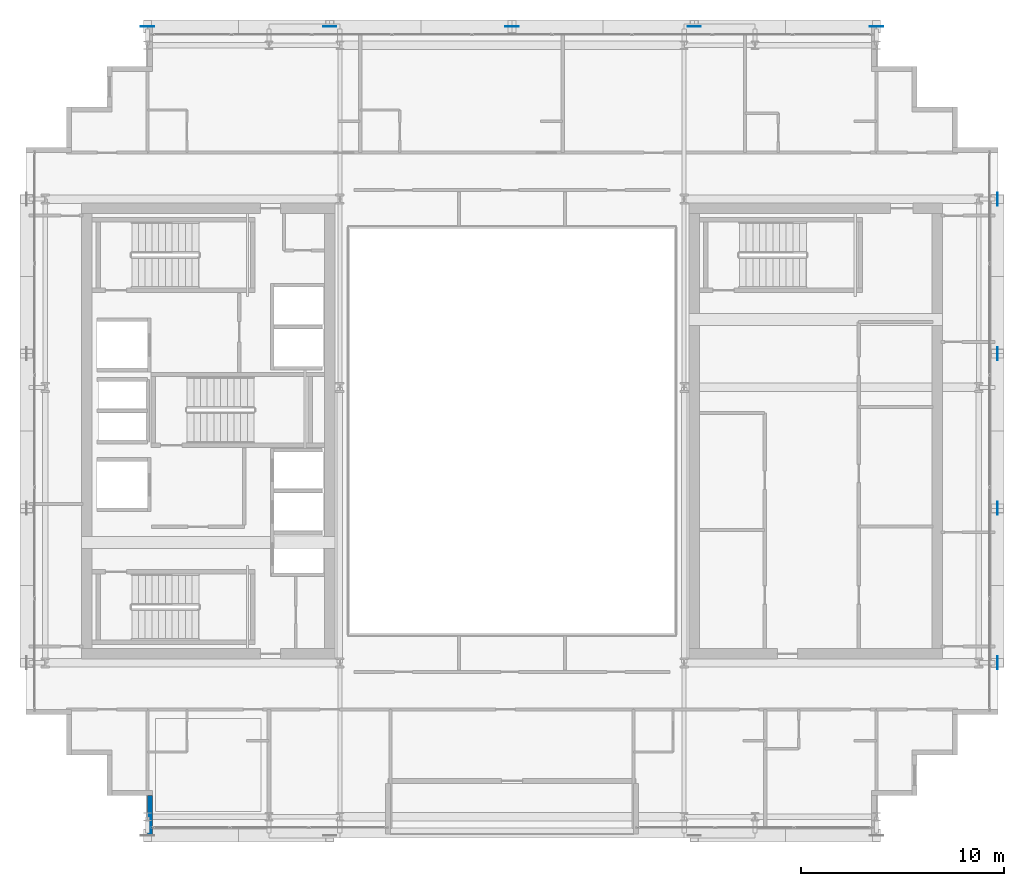
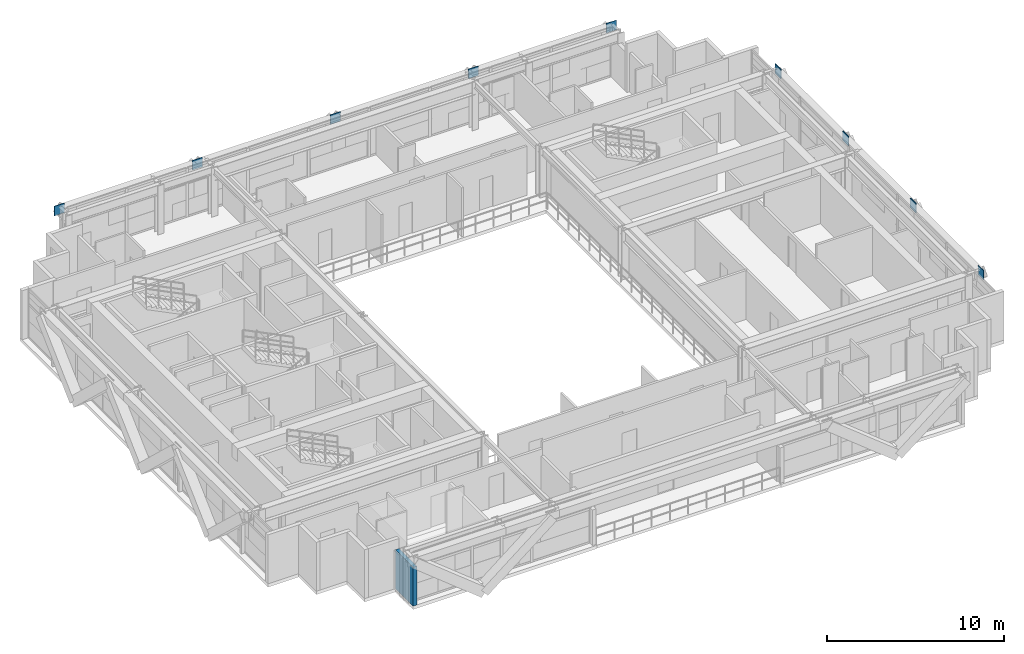
# One storey, part 23 of 32: 9 plates, 1 wall.
"""IFC4 building model written with IfcOpenShell, lengths in metres."""

from ifc_helpers import new_model, si_unit, direction, frame, frame_2d, origin, origin_2d, place, context, subcontext, project, spatial, rectangle, extrude, source, transform, mapped, material, layer, layer_set, type_object, element, save


model = new_model("IFC4")

# Units and contexts
model_context = context("Model", 3, precision=1e-05, world=origin(), true_north=direction((0.0, 1.0)))
body_context = subcontext(model_context, "Body", "Model", "MODEL_VIEW")
ifc_project = project(units=[si_unit("LENGTHUNIT", "METRE"), si_unit("AREAUNIT", "SQUARE_METRE"), si_unit("VOLUMEUNIT", "CUBIC_METRE"), si_unit("PLANEANGLEUNIT", "RADIAN"), si_unit("MASSUNIT", "GRAM", prefix="KILO")], contexts=[model_context])

# Site, building, storey
site_placement = place(None, origin())
site = spatial("IfcSite", under=ifc_project, at=site_placement, CompositionType="ELEMENT")
building_placement = place(site_placement, origin())
building = spatial("IfcBuilding", under=site, at=building_placement, Name="Ocotamira Hotel", CompositionType="ELEMENT")
storey_placement = place(building_placement, frame((0.0, 0.0, 213.60009765625)))
storey = spatial("IfcBuildingStorey", under=building, at=storey_placement, Name="L54", CompositionType="ELEMENT", Elevation=213.60009765625)

# Plates
ifc_material_1 = material(Name="Pale-metal coated steel ASTM A572 Grade 50", Category="steel")
ifc_layer_1 = layer(ifc_material_1, 0.0400390625)
ifc_layer_set_1 = layer_set([ifc_layer_1], Name="Pale-metal coated steel ASTM A572 Grade 50")
plate_type = type_object("IfcPlateType", Name="PLT-GUSSET-40", PredefinedType="SHEET", material=ifc_layer_set_1)
shared_shape_1 = source(origin(), body_context, "Body", "SweptSolid", [
    extrude(rectangle(XDim=0.64990234375, YDim=0.0400390625, at=origin_2d()), origin(), (0.0, 0.0, 1.0), 0.64990234375),
])
for number, where, z_axis, x_axis, name in (
    (1, (14.0, 45.969970703125, 2.794921875), (0.0, 0.0, 1.0), (-1.0, 0.0, 0.0), "L54 Exoskeleton Diagrid N0.1 End Gusset B"),
    (2, (23.0, 45.969970703125, 2.794921875), (0.0, 0.0, 1.0), (1.0, 0.0, 0.0), "L54 Exoskeleton Diagrid N0.2 End Gusset B"),
    (3, (32.0, 45.969970703125, 2.794921875), (0.0, 0.0, 1.0), (1.0, 0.0, 0.0), "L54 Exoskeleton Diagrid N1.2 End Gusset B"),
    (4, (41.0, 45.969970703125, 2.794921875), (0.0, 0.0, 1.0), (1.0, 0.0, 0.0), "L54 Exoskeleton Diagrid N2.2 End Gusset B"),
    (5, (50.0, 45.969970703125, 2.794921875), (0.0, 0.0, 1.0), (1.0, 0.0, 0.0), "L54 Exoskeleton Diagrid N3.2 End Gusset B"),
):
    element("IfcPlate", number, at=place(storey_placement, frame(where, z_axis=z_axis, x_axis=x_axis)), inside=storey, type_object=plate_type, Name=name, PredefinedType="SHEET", context=body_context, shape_type="MappedRepresentation", body=[
        mapped(shared_shape_1, transform((0.0, 0.0, 0.0), scale=1.0)),
    ])
shared_shape_2 = source(origin(), body_context, "Body", "SweptSolid", [
    extrude(rectangle(XDim=0.0400390625, YDim=0.64990234375, at=origin_2d()), origin(), (0.0, 0.0, 1.0), 0.64990234375),
])
for number, where, z_axis, x_axis, name in (
    (6, (55.969970703125, 14.550048828125, 2.794921875), (0.0, 0.0, 1.0), (1.0, 0.0, 0.0), "L54 Exoskeleton Diagrid E0.1 End Gusset B"),
    (7, (55.969970703125, 22.183349609375, 2.794921875), (0.0, 0.0, 1.0), (1.0, 0.0, 0.0), "L54 Exoskeleton Diagrid E0.2 End Gusset B"),
    (8, (55.969970703125, 29.816650390625, 2.794921875), (0.0, 0.0, 1.0), (1.0, 0.0, 0.0), "L54 Exoskeleton Diagrid E1.2 End Gusset B"),
    (9, (55.969970703125, 37.449951171875, 2.794921875), (0.0, 0.0, 1.0), (1.0, 0.0, 0.0), "L54 Exoskeleton Diagrid E2.2 End Gusset B"),
):
    element("IfcPlate", number, at=place(storey_placement, frame(where, z_axis=z_axis, x_axis=x_axis)), inside=storey, type_object=plate_type, Name=name, PredefinedType="SHEET", context=body_context, shape_type="MappedRepresentation", body=[
        mapped(shared_shape_2, transform((0.0, 0.0, 0.0), scale=1.0)),
    ])

# Wall
ifc_material_2 = material(Name="Precast concrete C45/55", Category="concrete")
ifc_layer_2 = layer(ifc_material_2, 0.25)
ifc_layer_set_2 = layer_set([ifc_layer_2], Name="Precast concrete C45/55")
wall_type = type_object("IfcWallType", Name="WL-EXT-SER-250", PredefinedType="SOLIDWALL", material=ifc_layer_set_2)
wall_placement = place(storey_placement, frame((14.125, 8.0, 0.0), z_axis=(0.0, 0.0, 1.0), x_axis=(0.0, -1.0, 0.0)))
element("IfcWall", 10, at=wall_placement, inside=storey, type_object=wall_type, Name="L54 Serrated Corner Wall 24", PredefinedType="SOLIDWALL", context=body_context, shape_type="SweptSolid", body=[
    extrude(rectangle(XDim=2.0, YDim=0.25, at=frame_2d((1.0, 0.0))), origin(), (0.0, 0.0, 1.0), 2.677001953125),
])

save(model, "model.ifc")
